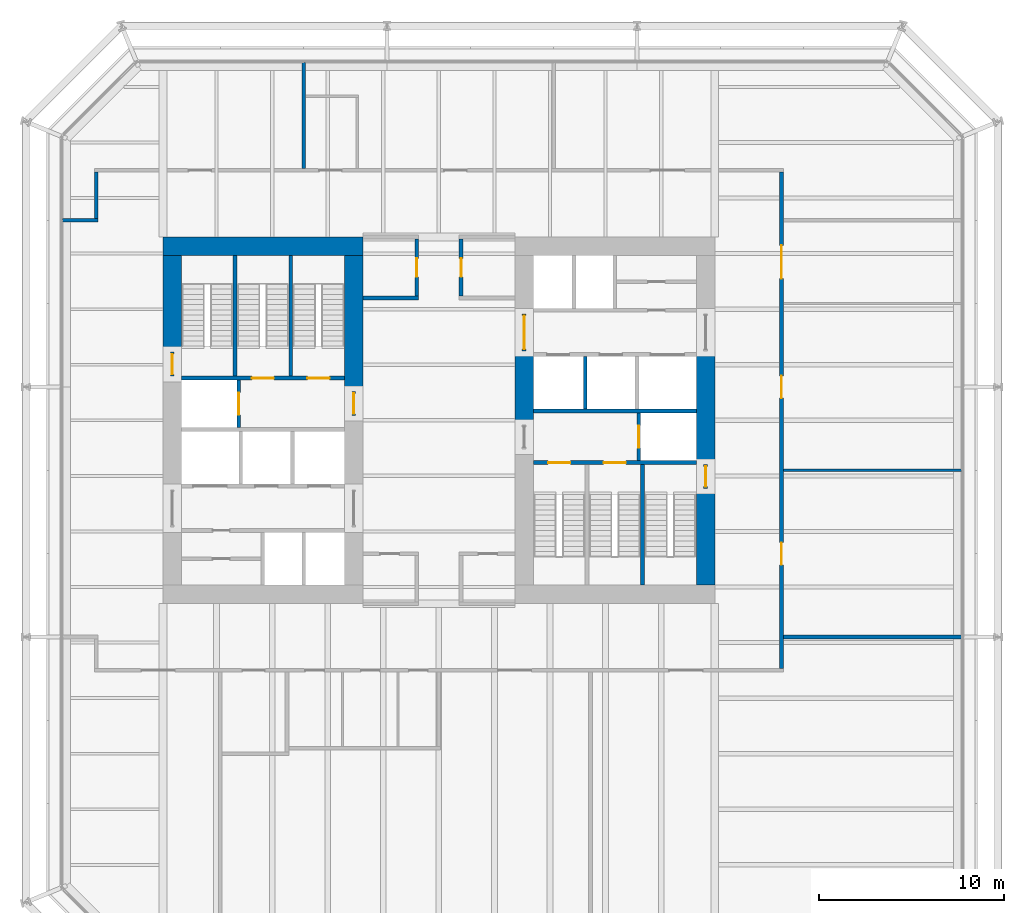
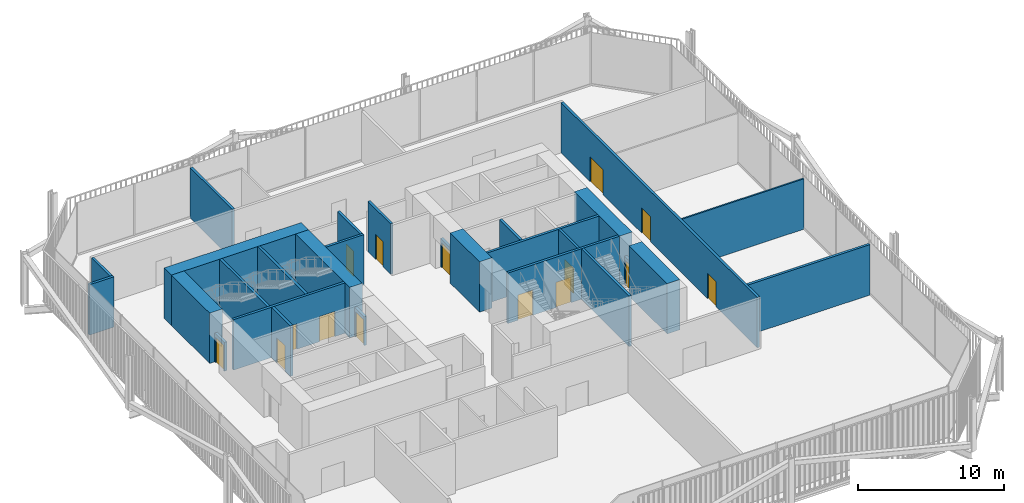
# One storey, part 18 of 21: 28 walls, 15 doors, 15 openings.
"""IFC4 building model written with IfcOpenShell, lengths in metres."""

from ifc_helpers import new_model, si_unit, direction, frame, frame_2d, origin, place, context, subcontext, project, spatial, rectangle, extrude, material, layer, layer_set, type_object, element, fill, save


model = new_model("IFC4")

# Units and contexts
model_context = context("Model", 3, precision=1e-05, world=origin(), true_north=direction((0.0, 1.0)))
body_context = subcontext(model_context, "Body", "Model", "MODEL_VIEW")
ifc_project = project(units=[si_unit("LENGTHUNIT", "METRE"), si_unit("AREAUNIT", "SQUARE_METRE"), si_unit("VOLUMEUNIT", "CUBIC_METRE"), si_unit("PLANEANGLEUNIT", "RADIAN"), si_unit("MASSUNIT", "GRAM", prefix="KILO")], contexts=[model_context])

# Site, building, storey
site_placement = place(None, origin())
site = spatial("IfcSite", under=ifc_project, at=site_placement, CompositionType="ELEMENT")
building_placement = place(site_placement, origin())
building = spatial("IfcBuilding", under=site, at=building_placement, Name="Millrace Tower", CompositionType="ELEMENT")
storey_placement = place(building_placement, frame((0.0, 0.0, 90.800048828125)))
storey = spatial("IfcBuildingStorey", under=building, at=storey_placement, Name="L20", CompositionType="ELEMENT", Elevation=90.800048828125)

# Walls
ifc_material_1 = material(Name="Concrete C80", Category="concrete")
ifc_layer_1 = layer(ifc_material_1, 1.0)
ifc_layer_set_1 = layer_set([ifc_layer_1], Name="Concrete C80")
wall_type_1 = type_object("IfcWallType", Name="Core wall 1000 Concrete C80", PredefinedType="SHEAR", material=ifc_layer_set_1)
wall_1_placement = place(storey_placement, frame((-14.89990234375, 9.39990234375, 0.0), z_axis=(0.0, 0.0, 1.0), x_axis=(1.0, 0.0, 0.0)))
element("IfcWall", 1, at=wall_1_placement, inside=storey, type_object=wall_type_1, Name="Core wall W L20", PredefinedType="SHEAR", context=body_context, shape_type="SweptSolid", body=[
    extrude(rectangle(XDim=10.7998046875, YDim=1.0, at=frame_2d((5.39990234375, 0.0))), origin(), (0.0, 0.0, 1.0), 4.199951171875),
])
wall_2_placement = place(storey_placement, frame((-14.39990234375, 3.679931640625, 0.0), z_axis=(0.0, 0.0, 1.0), x_axis=(0.0, 1.0, 0.0)))
element("IfcWall", 2, at=wall_2_placement, inside=storey, type_object=wall_type_1, Name="Core wall W L20", PredefinedType="SHEAR", context=body_context, shape_type="SweptSolid", body=[
    extrude(rectangle(XDim=5.219970703125, YDim=1.0, at=frame_2d((2.60986328125, 0.0))), origin(), (0.0, 0.0, 1.0), 4.199951171875),
])
wall_3_placement = place(storey_placement, frame((-4.60009765625, 1.550048828125, 0.0), z_axis=(0.0, 0.0, 1.0), x_axis=(0.0, 1.0, 0.0)))
element("IfcWall", 3, at=wall_3_placement, inside=storey, type_object=wall_type_1, Name="Core wall W L20", PredefinedType="SHEAR", context=body_context, shape_type="SweptSolid", body=[
    extrude(rectangle(XDim=7.349853515625, YDim=1.0, at=frame_2d((3.6748046875, 0.0))), origin(), (0.0, 0.0, 1.0), 4.199951171875),
])
wall_4_placement = place(storey_placement, frame((14.39990234375, 3.75, 0.0), z_axis=(0.0, 0.0, 1.0), x_axis=(0.0, -1.0, 0.0)))
element("IfcWall", 4, at=wall_4_placement, inside=storey, type_object=wall_type_1, Name="Core wall E L20", PredefinedType="SHEAR", context=body_context, shape_type="SweptSolid", body=[
    extrude(rectangle(XDim=6.1298828125, YDim=1.0, at=frame_2d((3.06494140625, 0.0))), origin(), (0.0, 0.0, 1.0), 4.199951171875),
])
wall_5_placement = place(storey_placement, frame((14.39990234375, -3.679931640625, 0.0), z_axis=(0.0, 0.0, 1.0), x_axis=(0.0, -1.0, 0.0)))
element("IfcWall", 5, at=wall_5_placement, inside=storey, type_object=wall_type_1, Name="Core wall E L20", PredefinedType="SHEAR", context=body_context, shape_type="SweptSolid", body=[
    extrude(rectangle(XDim=5.219970703125, YDim=1.0, at=frame_2d((2.60986328125, 0.0))), origin(), (0.0, 0.0, 1.0), 4.199951171875),
])
wall_6_placement = place(storey_placement, frame((4.60009765625, 3.75, 0.0), z_axis=(0.0, 0.0, 1.0), x_axis=(0.0, -1.0, 0.0)))
element("IfcWall", 6, at=wall_6_placement, inside=storey, type_object=wall_type_1, Name="Core wall E L20", PredefinedType="SHEAR", context=body_context, shape_type="SweptSolid", body=[
    extrude(rectangle(XDim=4.0, YDim=1.0, at=frame_2d((2.0, 0.0))), origin(), (0.0, 0.0, 1.0), 4.199951171875),
])
ifc_material_2 = material(Name="Masonry partition, fire-rated", Category="masonry")
ifc_layer_2 = layer(ifc_material_2, 0.199951171875)
ifc_layer_set_2 = layer_set([ifc_layer_2], Name="Masonry partition, fire-rated")
wall_type_2 = type_object("IfcWallType", Name="Corridor wall 200", PredefinedType="PARTITIONING", material=ifc_layer_set_2)
wall_7_placement = place(storey_placement, frame((18.60009765625, -11.699951171875, 0.0), z_axis=(0.0, 0.0, 1.0), x_axis=(1.0, 0.0, 0.0)))
element("IfcWall", 7, at=wall_7_placement, inside=storey, type_object=wall_type_2, Name="Corridor wall L20", PredefinedType="PARTITIONING", context=body_context, shape_type="SweptSolid", body=[
    extrude(rectangle(XDim=9.6298828125, YDim=0.199951171875, at=frame_2d((4.81494140625, 0.0))), origin(), (0.0, 0.0, 1.0), 4.199951171875),
])
wall_8_placement = place(storey_placement, frame((-4.10009765625, 6.60009765625, 0.0), z_axis=(0.0, 0.0, 1.0), x_axis=(1.0, 0.0, 0.0)))
element("IfcWall", 8, at=wall_8_placement, inside=storey, type_object=wall_type_2, Name="Corridor wall L20", PredefinedType="PARTITIONING", context=body_context, shape_type="SweptSolid", body=[
    extrude(rectangle(XDim=3.0, YDim=0.199951171875, at=frame_2d((1.5, 0.0))), origin(), (0.0, 0.0, 1.0), 4.199951171875),
])
wall_9_placement = place(storey_placement, frame((-20.330078125, 10.800048828125, 0.0), z_axis=(0.0, 0.0, 1.0), x_axis=(1.0, 0.0, 0.0)))
element("IfcWall", 9, at=wall_9_placement, inside=storey, type_object=wall_type_2, Name="Corridor wall L20", PredefinedType="PARTITIONING", context=body_context, shape_type="SweptSolid", body=[
    extrude(rectangle(XDim=1.93017578125, YDim=0.199951171875, at=frame_2d((0.965087890625, 0.0))), origin(), (0.0, 0.0, 1.0), 4.199951171875),
])

# Wall, openings, doors
wall_10_placement = place(storey_placement, frame((18.5, -13.39990234375, 0.0), z_axis=(0.0, 0.0, 1.0), x_axis=(0.0, 1.0, 0.0)))
wall_10 = element("IfcWall", 10, at=wall_10_placement, inside=storey, type_object=wall_type_2, Name="Corridor wall L20", PredefinedType="PARTITIONING", context=body_context, shape_type="SweptSolid", body=[
    extrude(rectangle(XDim=26.7998046875, YDim=0.199951171875, at=frame_2d((13.39990234375, 0.0))), origin(), (0.0, 0.0, 1.0), 4.199951171875),
])
opening_1_placement = place(wall_10_placement, frame((5.60009765625, 0.0, 0.0)))
opening_1 = element("IfcOpeningElement", 11, at=opening_1_placement, cuts=wall_10, Name="Opening 20-P013", PredefinedType="OPENING", context=body_context, shape_type="SweptSolid", body=[
    extrude(rectangle(XDim=1.199951171875, YDim=2.10009765625, at=frame_2d((0.60009765625, 1.050048828125))), frame((0.0, 0.10986328125, 0.0), z_axis=(0.0, -1.0, 0.0), x_axis=(1.0, 0.0, 0.0)), (0.0, 0.0, 1.0), 0.219970703125),
])
opening_2_placement = place(wall_10_placement, frame((14.60009765625, 0.0, 0.0)))
opening_2 = element("IfcOpeningElement", 12, at=opening_2_placement, cuts=wall_10, Name="Opening 20-P014", PredefinedType="OPENING", context=body_context, shape_type="SweptSolid", body=[
    extrude(rectangle(XDim=1.199951171875, YDim=2.10009765625, at=frame_2d((0.60009765625, 1.050048828125))), frame((0.0, 0.10986328125, 0.0), z_axis=(0.0, -1.0, 0.0), x_axis=(1.0, 0.0, 0.0)), (0.0, 0.0, 1.0), 0.219970703125),
])
opening_3_placement = place(wall_10_placement, frame((21.050048828125, 0.0, 0.0)))
opening_3 = element("IfcOpeningElement", 13, at=opening_3_placement, cuts=wall_10, Name="Opening 20-P015", PredefinedType="OPENING", context=body_context, shape_type="SweptSolid", body=[
    extrude(rectangle(XDim=1.800048828125, YDim=2.10009765625, at=frame_2d((0.89990234375, 1.050048828125))), frame((0.0, 0.10986328125, 0.0), z_axis=(0.0, -1.0, 0.0), x_axis=(1.0, 0.0, 0.0)), (0.0, 0.0, 1.0), 0.219970703125),
])
ifc_material_3 = material(Name="Steel door set, fire-rated", Category="steel")
door_type_1 = type_object("IfcDoorType", Name="Corridor door 1200 x 2100", OperationType="SINGLE_SWING_LEFT", PredefinedType="DOOR", material=ifc_material_3)
door_1_placement = place(opening_1_placement, frame((1.199951171875, 0.0, 0.0), z_axis=(0.0, 0.0, 1.0), x_axis=(-1.0, 0.0, 0.0)))
door_1 = element("IfcDoor", 14, at=door_1_placement, inside=storey, type_object=door_type_1, Name="Door 20-P013", OperationType="SINGLE_SWING_RIGHT", OverallHeight=2.10009765625, OverallWidth=1.199951171875, PredefinedType="DOOR", context=body_context, shape_type="SweptSolid", body=[
    extrude(rectangle(XDim=1.199951171875, YDim=2.10009765625, at=frame_2d((0.60009765625, 1.050048828125))), frame((0.0, 0.02490234375, 0.0), z_axis=(0.0, -1.0, 0.0), x_axis=(1.0, 0.0, 0.0)), (0.0, 0.0, 1.0), 0.050048828125),
])
fill(opening_1, door_1)
door_2_placement = place(opening_2_placement, frame((1.199951171875, 0.0, 0.0), z_axis=(0.0, 0.0, 1.0), x_axis=(-1.0, 0.0, 0.0)))
door_2 = element("IfcDoor", 15, at=door_2_placement, inside=storey, type_object=door_type_1, Name="Door 20-P014", OperationType="SINGLE_SWING_LEFT", OverallHeight=2.10009765625, OverallWidth=1.199951171875, PredefinedType="DOOR", context=body_context, shape_type="SweptSolid", body=[
    extrude(rectangle(XDim=1.199951171875, YDim=2.10009765625, at=frame_2d((0.60009765625, 1.050048828125))), frame((0.0, 0.02490234375, 0.0), z_axis=(0.0, -1.0, 0.0), x_axis=(1.0, 0.0, 0.0)), (0.0, 0.0, 1.0), 0.050048828125),
])
fill(opening_2, door_2)
ifc_material_4 = material(Name="Steel door set, fire-rated", Category="steel")
door_type_2 = type_object("IfcDoorType", Name="Corridor door 1800 x 2100", OperationType="DOUBLE_DOOR_SINGLE_SWING", PredefinedType="DOOR", material=ifc_material_4)
door_3_placement = place(opening_3_placement, frame((1.800048828125, 0.0, 0.0), z_axis=(0.0, 0.0, 1.0), x_axis=(-1.0, 0.0, 0.0)))
door_3 = element("IfcDoor", 16, at=door_3_placement, inside=storey, type_object=door_type_2, Name="Door 20-P015", OperationType="DOUBLE_DOOR_SINGLE_SWING", OverallHeight=2.10009765625, OverallWidth=1.800048828125, PredefinedType="DOOR", context=body_context, shape_type="SweptSolid", body=[
    extrude(rectangle(XDim=1.800048828125, YDim=2.10009765625, at=frame_2d((0.89990234375, 1.050048828125))), frame((0.0, 0.02490234375, 0.0), z_axis=(0.0, -1.0, 0.0), x_axis=(1.0, 0.0, 0.0)), (0.0, 0.0, 1.0), 0.050048828125),
])
fill(opening_3, door_3)

# Wall, opening, door
wall_11_placement = place(storey_placement, frame((1.199951171875, 6.699951171875, 0.0), z_axis=(0.0, 0.0, 1.0), x_axis=(0.0, 1.0, 0.0)))
wall_11 = element("IfcWall", 17, at=wall_11_placement, inside=storey, type_object=wall_type_2, Name="Corridor wall L20", PredefinedType="PARTITIONING", context=body_context, shape_type="SweptSolid", body=[
    extrude(rectangle(XDim=3.10009765625, YDim=0.199951171875, at=frame_2d((1.550048828125, 0.0))), origin(), (0.0, 0.0, 1.0), 4.199951171875),
])
opening_4_placement = place(wall_11_placement, frame((1.050048828125, 0.0, 0.0)))
opening_4 = element("IfcOpeningElement", 18, at=opening_4_placement, cuts=wall_11, Name="Opening 20-P002", PredefinedType="OPENING", context=body_context, shape_type="SweptSolid", body=[
    extrude(rectangle(XDim=1.0, YDim=2.10009765625, at=frame_2d((0.5, 1.050048828125))), frame((0.0, 0.10986328125, 0.0), z_axis=(0.0, -1.0, 0.0), x_axis=(1.0, 0.0, 0.0)), (0.0, 0.0, 1.0), 0.219970703125),
])
ifc_material_5 = material(Name="Steel door set, fire-rated", Category="steel")
door_type_3 = type_object("IfcDoorType", Name="Corridor door 1000 x 2100", OperationType="SINGLE_SWING_LEFT", PredefinedType="DOOR", material=ifc_material_5)
door_4_placement = place(opening_4_placement, frame((1.0, 0.0, 0.0), z_axis=(0.0, 0.0, 1.0), x_axis=(-1.0, 0.0, 0.0)))
door_4 = element("IfcDoor", 19, at=door_4_placement, inside=storey, type_object=door_type_3, Name="Door 20-P002", OperationType="SINGLE_SWING_LEFT", OverallHeight=2.10009765625, OverallWidth=1.0, PredefinedType="DOOR", context=body_context, shape_type="SweptSolid", body=[
    extrude(rectangle(XDim=1.0, YDim=2.10009765625, at=frame_2d((0.5, 1.050048828125))), frame((0.0, 0.02490234375, 0.0), z_axis=(0.0, -1.0, 0.0), x_axis=(1.0, 0.0, 0.0)), (0.0, 0.0, 1.0), 0.050048828125),
])
fill(opening_4, door_4)

wall_12_placement = place(storey_placement, frame((-1.199951171875, 6.699951171875, 0.0), z_axis=(0.0, 0.0, 1.0), x_axis=(0.0, 1.0, 0.0)))
wall_12 = element("IfcWall", 20, at=wall_12_placement, inside=storey, type_object=wall_type_2, Name="Corridor wall L20", PredefinedType="PARTITIONING", context=body_context, shape_type="SweptSolid", body=[
    extrude(rectangle(XDim=3.10009765625, YDim=0.199951171875, at=frame_2d((1.550048828125, 0.0))), origin(), (0.0, 0.0, 1.0), 4.199951171875),
])
opening_5_placement = place(wall_12_placement, frame((1.050048828125, 0.0, 0.0)))
opening_5 = element("IfcOpeningElement", 21, at=opening_5_placement, cuts=wall_12, Name="Opening 20-P001", PredefinedType="OPENING", context=body_context, shape_type="SweptSolid", body=[
    extrude(rectangle(XDim=1.0, YDim=2.10009765625, at=frame_2d((0.5, 1.050048828125))), frame((0.0, 0.10986328125, 0.0), z_axis=(0.0, -1.0, 0.0), x_axis=(1.0, 0.0, 0.0)), (0.0, 0.0, 1.0), 0.219970703125),
])
door_5_placement = place(opening_5_placement, origin())
door_5 = element("IfcDoor", 22, at=door_5_placement, inside=storey, type_object=door_type_3, Name="Door 20-P001", OperationType="SINGLE_SWING_RIGHT", OverallHeight=2.10009765625, OverallWidth=1.0, PredefinedType="DOOR", context=body_context, shape_type="SweptSolid", body=[
    extrude(rectangle(XDim=1.0, YDim=2.10009765625, at=frame_2d((0.5, 1.050048828125))), frame((0.0, 0.02490234375, 0.0), z_axis=(0.0, -1.0, 0.0), x_axis=(1.0, 0.0, 0.0)), (0.0, 0.0, 1.0), 0.050048828125),
])
fill(opening_5, door_5)

# Walls
wall_13_placement = place(storey_placement, frame((-7.300048828125, 13.60009765625, 0.0), z_axis=(0.0, 0.0, 1.0), x_axis=(0.0, 1.0, 0.0)))
element("IfcWall", 23, at=wall_13_placement, inside=storey, type_object=wall_type_2, Name="Corridor wall L20", PredefinedType="PARTITIONING", context=body_context, shape_type="SweptSolid", body=[
    extrude(rectangle(XDim=5.72998046875, YDim=0.199951171875, at=frame_2d((2.864990234375, 0.0))), origin(), (0.0, 0.0, 1.0), 4.199951171875),
])
wall_14_placement = place(storey_placement, frame((-18.5, 10.89990234375, 0.0), z_axis=(0.0, 0.0, 1.0), x_axis=(0.0, 1.0, 0.0)))
element("IfcWall", 24, at=wall_14_placement, inside=storey, type_object=wall_type_2, Name="Corridor wall L20", PredefinedType="PARTITIONING", context=body_context, shape_type="SweptSolid", body=[
    extrude(rectangle(XDim=2.5, YDim=0.199951171875, at=frame_2d((1.25, 0.0))), origin(), (0.0, 0.0, 1.0), 4.199951171875),
])

# Wall, opening, door
ifc_material_6 = material(Name="Masonry partition, fire-rated", Category="masonry")
ifc_layer_3 = layer(ifc_material_6, 0.199951171875)
ifc_layer_set_3 = layer_set([ifc_layer_3], Name="Masonry partition, fire-rated")
wall_type_3 = type_object("IfcWallType", Name="Lift shaft wall 200", PredefinedType="PARTITIONING", material=ifc_layer_set_3)
wall_15_placement = place(storey_placement, frame((-10.800048828125, -0.39990234375, 0.0), z_axis=(0.0, 0.0, 1.0), x_axis=(0.0, 1.0, 0.0)))
wall_15 = element("IfcWall", 25, at=wall_15_placement, inside=storey, type_object=wall_type_3, Name="Lift shaft wall W L20", PredefinedType="PARTITIONING", context=body_context, shape_type="SweptSolid", body=[
    extrude(rectangle(XDim=2.579833984375, YDim=0.199951171875, at=frame_2d((1.2900390625, 0.0))), origin(), (0.0, 0.0, 1.0), 4.199951171875),
])
opening_6_placement = place(wall_15_placement, frame((0.68994140625, 0.0, 0.0)))
opening_6 = element("IfcOpeningElement", 26, at=opening_6_placement, cuts=wall_15, Name="Opening 20-LD08", PredefinedType="OPENING", context=body_context, shape_type="SweptSolid", body=[
    extrude(rectangle(XDim=1.199951171875, YDim=2.10009765625, at=frame_2d((0.60009765625, 1.050048828125))), frame((0.0, 0.10986328125, 0.0), z_axis=(0.0, -1.0, 0.0), x_axis=(1.0, 0.0, 0.0)), (0.0, 0.0, 1.0), 0.219970703125),
])
ifc_material_7 = material(Name="Stainless steel, fire-rated", Category="steel")
door_type_4 = type_object("IfcDoorType", Name="Lift landing door 1200 x 2100", OperationType="DOUBLE_DOOR_SLIDING", PredefinedType="DOOR", material=ifc_material_7)
door_6_placement = place(opening_6_placement, origin())
door_6 = element("IfcDoor", 27, at=door_6_placement, inside=storey, type_object=door_type_4, Name="Lift landing door LF8 L20", OperationType="DOUBLE_DOOR_SLIDING", OverallHeight=2.10009765625, OverallWidth=1.199951171875, PredefinedType="DOOR", context=body_context, shape_type="SweptSolid", body=[
    extrude(rectangle(XDim=1.199951171875, YDim=2.10009765625, at=frame_2d((0.60009765625, 1.050048828125))), frame((0.0, 0.02490234375, 0.0), z_axis=(0.0, -1.0, 0.0), x_axis=(1.0, 0.0, 0.0)), (0.0, 0.0, 1.0), 0.050048828125),
])
fill(opening_6, door_6)

# Wall
wall_16_placement = place(storey_placement, frame((13.89990234375, 0.5, 0.0), z_axis=(0.0, 0.0, 1.0), x_axis=(-1.0, 0.0, 0.0)))
element("IfcWall", 28, at=wall_16_placement, inside=storey, type_object=wall_type_3, Name="Lift shaft wall E L20", PredefinedType="PARTITIONING", context=body_context, shape_type="SweptSolid", body=[
    extrude(rectangle(XDim=8.7998046875, YDim=0.199951171875, at=frame_2d((4.39990234375, 0.0))), origin(), (0.0, 0.0, 1.0), 4.199951171875),
])

# Wall, opening, door
wall_17_placement = place(storey_placement, frame((10.800048828125, 0.39990234375, 0.0), z_axis=(0.0, 0.0, 1.0), x_axis=(0.0, -1.0, 0.0)))
wall_17 = element("IfcWall", 29, at=wall_17_placement, inside=storey, type_object=wall_type_3, Name="Lift shaft wall E L20", PredefinedType="PARTITIONING", context=body_context, shape_type="SweptSolid", body=[
    extrude(rectangle(XDim=2.579833984375, YDim=0.199951171875, at=frame_2d((1.2900390625, 0.0))), origin(), (0.0, 0.0, 1.0), 4.199951171875),
])
opening_7_placement = place(wall_17_placement, frame((0.68994140625, 0.0, 0.0)))
opening_7 = element("IfcOpeningElement", 30, at=opening_7_placement, cuts=wall_17, Name="Opening 20-LD16", PredefinedType="OPENING", context=body_context, shape_type="SweptSolid", body=[
    extrude(rectangle(XDim=1.199951171875, YDim=2.10009765625, at=frame_2d((0.60009765625, 1.050048828125))), frame((0.0, 0.10986328125, 0.0), z_axis=(0.0, -1.0, 0.0), x_axis=(1.0, 0.0, 0.0)), (0.0, 0.0, 1.0), 0.219970703125),
])
door_7_placement = place(opening_7_placement, origin())
door_7 = element("IfcDoor", 31, at=door_7_placement, inside=storey, type_object=door_type_4, Name="Lift landing door LF16 L20", OperationType="DOUBLE_DOOR_SLIDING", OverallHeight=2.10009765625, OverallWidth=1.199951171875, PredefinedType="DOOR", context=body_context, shape_type="SweptSolid", body=[
    extrude(rectangle(XDim=1.199951171875, YDim=2.10009765625, at=frame_2d((0.60009765625, 1.050048828125))), frame((0.0, 0.02490234375, 0.0), z_axis=(0.0, -1.0, 0.0), x_axis=(1.0, 0.0, 0.0)), (0.0, 0.0, 1.0), 0.050048828125),
])
fill(opening_7, door_7)

# Wall
wall_18_placement = place(storey_placement, frame((7.89990234375, 3.449951171875, 0.0), z_axis=(0.0, 0.0, 1.0), x_axis=(0.0, -1.0, 0.0)))
element("IfcWall", 32, at=wall_18_placement, inside=storey, type_object=wall_type_3, Name="Lift shaft wall E L20", PredefinedType="PARTITIONING", context=body_context, shape_type="SweptSolid", body=[
    extrude(rectangle(XDim=2.849853515625, YDim=0.199951171875, at=frame_2d((1.4248046875, 0.0))), origin(), (0.0, 0.0, 1.0), 4.199951171875),
])

# Wall, opening, door
ifc_material_8 = material(Name="Masonry partition, fire-rated", Category="masonry")
ifc_layer_4 = layer(ifc_material_8, 0.199951171875)
ifc_layer_set_4 = layer_set([ifc_layer_4], Name="Masonry partition, fire-rated")
wall_type_4 = type_object("IfcWallType", Name="Lobby wall 200", PredefinedType="PARTITIONING", material=ifc_layer_set_4)
wall_19_placement = place(storey_placement, frame((-4.60009765625, 0.25, 0.0), z_axis=(0.0, 0.0, 1.0), x_axis=(0.0, 1.0, 0.0)))
wall_19 = element("IfcWall", 33, at=wall_19_placement, inside=storey, type_object=wall_type_4, Name="Lobby wall W L20", PredefinedType="PARTITIONING", context=body_context, shape_type="SweptSolid", body=[
    extrude(rectangle(XDim=1.300048828125, YDim=0.199951171875, at=frame_2d((0.64990234375, 0.0))), origin(), (0.0, 0.0, 1.0), 2.39990234375),
])
opening_8_placement = place(wall_19_placement, frame((0.10009765625, 0.0, 0.0)))
opening_8 = element("IfcOpeningElement", 34, at=opening_8_placement, cuts=wall_19, Name="Opening 20-C004", PredefinedType="OPENING", context=body_context, shape_type="SweptSolid", body=[
    extrude(rectangle(XDim=1.10009765625, YDim=2.10009765625, at=frame_2d((0.550048828125, 1.050048828125))), frame((0.0, 0.10986328125, 0.0), z_axis=(0.0, -1.0, 0.0), x_axis=(1.0, 0.0, 0.0)), (0.0, 0.0, 1.0), 0.219970703125),
])
ifc_material_9 = material(Name="Steel door, fire-rated", Category="steel")
door_type_5 = type_object("IfcDoorType", Name="Lobby door 1100 x 2100", OperationType="SINGLE_SWING_LEFT", PredefinedType="DOOR", material=ifc_material_9)
door_8_placement = place(opening_8_placement, origin())
door_8 = element("IfcDoor", 35, at=door_8_placement, inside=storey, type_object=door_type_5, Name="Lobby door 20-C004", OperationType="SINGLE_SWING_LEFT", OverallHeight=2.10009765625, OverallWidth=1.10009765625, PredefinedType="DOOR", context=body_context, shape_type="SweptSolid", body=[
    extrude(rectangle(XDim=1.10009765625, YDim=2.10009765625, at=frame_2d((0.550048828125, 1.050048828125))), frame((0.0, 0.02490234375, 0.0), z_axis=(0.0, -1.0, 0.0), x_axis=(1.0, 0.0, 0.0)), (0.0, 0.0, 1.0), 0.050048828125),
])
fill(opening_8, door_8)

wall_20_placement = place(storey_placement, frame((4.60009765625, 5.75, 0.0), z_axis=(0.0, 0.0, 1.0), x_axis=(0.0, -1.0, 0.0)))
wall_20 = element("IfcWall", 36, at=wall_20_placement, inside=storey, type_object=wall_type_4, Name="Lobby wall E L20", PredefinedType="PARTITIONING", context=body_context, shape_type="SweptSolid", body=[
    extrude(rectangle(XDim=2.0, YDim=0.199951171875, at=frame_2d((1.0, 0.0))), origin(), (0.0, 0.0, 1.0), 2.39990234375),
])
opening_9_placement = place(wall_20_placement, frame((0.10009765625, 0.0, 0.0)))
opening_9 = element("IfcOpeningElement", 37, at=opening_9_placement, cuts=wall_20, Name="Opening 20-C011", PredefinedType="OPENING", context=body_context, shape_type="SweptSolid", body=[
    extrude(rectangle(XDim=1.800048828125, YDim=2.10009765625, at=frame_2d((0.89990234375, 1.050048828125))), frame((0.0, 0.10986328125, 0.0), z_axis=(0.0, -1.0, 0.0), x_axis=(1.0, 0.0, 0.0)), (0.0, 0.0, 1.0), 0.219970703125),
])
ifc_material_10 = material(Name="Steel door, fire-rated", Category="steel")
door_type_6 = type_object("IfcDoorType", Name="Lobby door 1800 x 2100", OperationType="DOUBLE_DOOR_SINGLE_SWING", PredefinedType="DOOR", material=ifc_material_10)
door_9_placement = place(opening_9_placement, origin())
door_9 = element("IfcDoor", 38, at=door_9_placement, inside=storey, type_object=door_type_6, Name="Lobby door 20-C011", OperationType="DOUBLE_DOOR_SINGLE_SWING", OverallHeight=2.10009765625, OverallWidth=1.800048828125, PredefinedType="DOOR", context=body_context, shape_type="SweptSolid", body=[
    extrude(rectangle(XDim=1.800048828125, YDim=2.10009765625, at=frame_2d((0.89990234375, 1.050048828125))), frame((0.0, 0.02490234375, 0.0), z_axis=(0.0, -1.0, 0.0), x_axis=(1.0, 0.0, 0.0)), (0.0, 0.0, 1.0), 0.050048828125),
])
fill(opening_9, door_9)

# Wall
ifc_material_11 = material(Name="Gypsum board partition")
ifc_layer_5 = layer(ifc_material_11, 0.1201171875)
ifc_layer_set_5 = layer_set([ifc_layer_5], Name="Gypsum board partition")
wall_type_5 = type_object("IfcWallType", Name="Partition wall 120", PredefinedType="PARTITIONING", material=ifc_layer_set_5)
wall_21_placement = place(storey_placement, frame((18.60009765625, -2.699951171875, 0.0), z_axis=(0.0, 0.0, 1.0), x_axis=(1.0, 0.0, 0.0)))
element("IfcWall", 39, at=wall_21_placement, inside=storey, type_object=wall_type_5, Name="Partition wall L20", PredefinedType="PARTITIONING", context=body_context, shape_type="SweptSolid", body=[
    extrude(rectangle(XDim=9.6298828125, YDim=0.1201171875, at=frame_2d((4.81494140625, 0.0))), origin(), (0.0, 0.0, 1.0), 4.199951171875),
])

# Wall, opening, door
ifc_material_12 = material(Name="Concrete C40", Category="concrete")
ifc_layer_6 = layer(ifc_material_12, 0.199951171875)
ifc_layer_set_6 = layer_set([ifc_layer_6], Name="Concrete C40")
wall_type_6 = type_object("IfcWallType", Name="Stair enclosure wall 200 Concrete C40", PredefinedType="SHEAR", material=ifc_layer_set_6)
wall_22_placement = place(storey_placement, frame((-14.39990234375, 2.3798828125, 0.0), z_axis=(0.0, 0.0, 1.0), x_axis=(0.0, 1.0, 0.0)))
wall_22 = element("IfcWall", 40, at=wall_22_placement, inside=storey, type_object=wall_type_6, Name="Stair enclosure wall W L20", PredefinedType="SHEAR", context=body_context, shape_type="SweptSolid", body=[
    extrude(rectangle(XDim=1.300048828125, YDim=0.199951171875, at=frame_2d((0.64990234375, 0.0))), origin(), (0.0, 0.0, 1.0), 2.39990234375),
])
opening_10_placement = place(wall_22_placement, frame((0.10009765625, 0.0, 0.0)))
opening_10 = element("IfcOpeningElement", 41, at=opening_10_placement, cuts=wall_22, Name="Opening 20-C002", PredefinedType="OPENING", context=body_context, shape_type="SweptSolid", body=[
    extrude(rectangle(XDim=1.10009765625, YDim=2.10009765625, at=frame_2d((0.550048828125, 1.050048828125))), frame((0.0, 0.10986328125, 0.0), z_axis=(0.0, -1.0, 0.0), x_axis=(1.0, 0.0, 0.0)), (0.0, 0.0, 1.0), 0.219970703125),
])
ifc_material_13 = material(Name="Steel door, fire-rated", Category="steel")
door_type_7 = type_object("IfcDoorType", Name="Stair door 1100 x 2100", OperationType="SINGLE_SWING_LEFT", PredefinedType="DOOR", material=ifc_material_13)
door_10_placement = place(opening_10_placement, origin())
door_10 = element("IfcDoor", 42, at=door_10_placement, inside=storey, type_object=door_type_7, Name="Stair door 20-C002", OperationType="SINGLE_SWING_RIGHT", OverallHeight=2.10009765625, OverallWidth=1.10009765625, PredefinedType="DOOR", context=body_context, shape_type="SweptSolid", body=[
    extrude(rectangle(XDim=1.10009765625, YDim=2.10009765625, at=frame_2d((0.550048828125, 1.050048828125))), frame((0.0, 0.02490234375, 0.0), z_axis=(0.0, -1.0, 0.0), x_axis=(1.0, 0.0, 0.0)), (0.0, 0.0, 1.0), 0.050048828125),
])
fill(opening_10, door_10)

# Wall, openings, doors
wall_23_placement = place(storey_placement, frame((-13.89990234375, 2.280029296875, 0.0), z_axis=(0.0, 0.0, 1.0), x_axis=(1.0, 0.0, 0.0)))
wall_23 = element("IfcWall", 43, at=wall_23_placement, inside=storey, type_object=wall_type_6, Name="Stair enclosure wall W L20", PredefinedType="SHEAR", context=body_context, shape_type="SweptSolid", body=[
    extrude(rectangle(XDim=8.7998046875, YDim=0.199951171875, at=frame_2d((4.39990234375, 0.0))), origin(), (0.0, 0.0, 1.0), 4.199951171875),
])
opening_11_placement = place(wall_23_placement, frame((3.800048828125, 0.0, 0.0)))
opening_11 = element("IfcOpeningElement", 44, at=opening_11_placement, cuts=wall_23, Name="Opening 20-C007", PredefinedType="OPENING", context=body_context, shape_type="SweptSolid", body=[
    extrude(rectangle(XDim=1.199951171875, YDim=2.10009765625, at=frame_2d((0.60009765625, 1.050048828125))), frame((0.0, 0.10986328125, 0.0), z_axis=(0.0, -1.0, 0.0), x_axis=(1.0, 0.0, 0.0)), (0.0, 0.0, 1.0), 0.219970703125),
])
opening_12_placement = place(wall_23_placement, frame((6.800048828125, 0.0, 0.0)))
opening_12 = element("IfcOpeningElement", 45, at=opening_12_placement, cuts=wall_23, Name="Opening 20-C008", PredefinedType="OPENING", context=body_context, shape_type="SweptSolid", body=[
    extrude(rectangle(XDim=1.199951171875, YDim=2.10009765625, at=frame_2d((0.60009765625, 1.050048828125))), frame((0.0, 0.10986328125, 0.0), z_axis=(0.0, -1.0, 0.0), x_axis=(1.0, 0.0, 0.0)), (0.0, 0.0, 1.0), 0.219970703125),
])
ifc_material_14 = material(Name="Steel door, fire-rated", Category="steel")
door_type_8 = type_object("IfcDoorType", Name="Stair door 1200 x 2100", OperationType="SINGLE_SWING_LEFT", PredefinedType="DOOR", material=ifc_material_14)
door_11_placement = place(opening_11_placement, frame((1.199951171875, 0.0, 0.0), z_axis=(0.0, 0.0, 1.0), x_axis=(-1.0, 0.0, 0.0)))
door_11 = element("IfcDoor", 46, at=door_11_placement, inside=storey, type_object=door_type_8, Name="Stair door 20-C007", OperationType="SINGLE_SWING_LEFT", OverallHeight=2.10009765625, OverallWidth=1.199951171875, PredefinedType="DOOR", context=body_context, shape_type="SweptSolid", body=[
    extrude(rectangle(XDim=1.199951171875, YDim=2.10009765625, at=frame_2d((0.60009765625, 1.050048828125))), frame((0.0, 0.02490234375, 0.0), z_axis=(0.0, -1.0, 0.0), x_axis=(1.0, 0.0, 0.0)), (0.0, 0.0, 1.0), 0.050048828125),
])
fill(opening_11, door_11)
door_12_placement = place(opening_12_placement, frame((1.199951171875, 0.0, 0.0), z_axis=(0.0, 0.0, 1.0), x_axis=(-1.0, 0.0, 0.0)))
door_12 = element("IfcDoor", 47, at=door_12_placement, inside=storey, type_object=door_type_8, Name="Stair door 20-C008", OperationType="SINGLE_SWING_LEFT", OverallHeight=2.10009765625, OverallWidth=1.199951171875, PredefinedType="DOOR", context=body_context, shape_type="SweptSolid", body=[
    extrude(rectangle(XDim=1.199951171875, YDim=2.10009765625, at=frame_2d((0.60009765625, 1.050048828125))), frame((0.0, 0.02490234375, 0.0), z_axis=(0.0, -1.0, 0.0), x_axis=(1.0, 0.0, 0.0)), (0.0, 0.0, 1.0), 0.050048828125),
])
fill(opening_12, door_12)

# Walls
for number, where, z_axis, x_axis, name in (
    (48, (-11.0, 2.3798828125, 0.0), (0.0, 0.0, 1.0), (0.0, 1.0, 0.0), "Stair enclosure wall W L20"),
    (49, (-8.0, 2.3798828125, 0.0), (0.0, 0.0, 1.0), (0.0, 1.0, 0.0), "Stair enclosure wall W L20"),
):
    element("IfcWall", number, at=place(storey_placement, frame(where, z_axis=z_axis, x_axis=x_axis)), inside=storey, type_object=wall_type_6, Name=name, PredefinedType="SHEAR", context=body_context, shape_type="SweptSolid", body=[
        extrude(rectangle(XDim=6.52001953125, YDim=0.199951171875, at=frame_2d((3.260009765625, 0.0))), origin(), (0.0, 0.0, 1.0), 4.199951171875),
    ])

# Wall, opening, door
wall_24_placement = place(storey_placement, frame((14.39990234375, -2.3798828125, 0.0), z_axis=(0.0, 0.0, 1.0), x_axis=(0.0, -1.0, 0.0)))
wall_24 = element("IfcWall", 50, at=wall_24_placement, inside=storey, type_object=wall_type_6, Name="Stair enclosure wall E L20", PredefinedType="SHEAR", context=body_context, shape_type="SweptSolid", body=[
    extrude(rectangle(XDim=1.300048828125, YDim=0.199951171875, at=frame_2d((0.64990234375, 0.0))), origin(), (0.0, 0.0, 1.0), 2.39990234375),
])
opening_13_placement = place(wall_24_placement, frame((0.10009765625, 0.0, 0.0)))
opening_13 = element("IfcOpeningElement", 51, at=opening_13_placement, cuts=wall_24, Name="Opening 20-C010", PredefinedType="OPENING", context=body_context, shape_type="SweptSolid", body=[
    extrude(rectangle(XDim=1.10009765625, YDim=2.10009765625, at=frame_2d((0.550048828125, 1.050048828125))), frame((0.0, 0.10986328125, 0.0), z_axis=(0.0, -1.0, 0.0), x_axis=(1.0, 0.0, 0.0)), (0.0, 0.0, 1.0), 0.219970703125),
])
door_13_placement = place(opening_13_placement, origin())
door_13 = element("IfcDoor", 52, at=door_13_placement, inside=storey, type_object=door_type_7, Name="Stair door 20-C010", OperationType="SINGLE_SWING_RIGHT", OverallHeight=2.10009765625, OverallWidth=1.10009765625, PredefinedType="DOOR", context=body_context, shape_type="SweptSolid", body=[
    extrude(rectangle(XDim=1.10009765625, YDim=2.10009765625, at=frame_2d((0.550048828125, 1.050048828125))), frame((0.0, 0.02490234375, 0.0), z_axis=(0.0, -1.0, 0.0), x_axis=(1.0, 0.0, 0.0)), (0.0, 0.0, 1.0), 0.050048828125),
])
fill(opening_13, door_13)

# Wall, openings, doors
wall_25_placement = place(storey_placement, frame((13.89990234375, -2.280029296875, 0.0), z_axis=(0.0, 0.0, 1.0), x_axis=(-1.0, 0.0, 0.0)))
wall_25 = element("IfcWall", 53, at=wall_25_placement, inside=storey, type_object=wall_type_6, Name="Stair enclosure wall E L20", PredefinedType="SHEAR", context=body_context, shape_type="SweptSolid", body=[
    extrude(rectangle(XDim=8.7998046875, YDim=0.199951171875, at=frame_2d((4.39990234375, 0.0))), origin(), (0.0, 0.0, 1.0), 4.199951171875),
])
opening_14_placement = place(wall_25_placement, frame((3.800048828125, 0.0, 0.0)))
opening_14 = element("IfcOpeningElement", 54, at=opening_14_placement, cuts=wall_25, Name="Opening 20-C015", PredefinedType="OPENING", context=body_context, shape_type="SweptSolid", body=[
    extrude(rectangle(XDim=1.199951171875, YDim=2.10009765625, at=frame_2d((0.60009765625, 1.050048828125))), frame((0.0, 0.10986328125, 0.0), z_axis=(0.0, -1.0, 0.0), x_axis=(1.0, 0.0, 0.0)), (0.0, 0.0, 1.0), 0.219970703125),
])
opening_15_placement = place(wall_25_placement, frame((6.800048828125, 0.0, 0.0)))
opening_15 = element("IfcOpeningElement", 55, at=opening_15_placement, cuts=wall_25, Name="Opening 20-C016", PredefinedType="OPENING", context=body_context, shape_type="SweptSolid", body=[
    extrude(rectangle(XDim=1.199951171875, YDim=2.10009765625, at=frame_2d((0.60009765625, 1.050048828125))), frame((0.0, 0.10986328125, 0.0), z_axis=(0.0, -1.0, 0.0), x_axis=(1.0, 0.0, 0.0)), (0.0, 0.0, 1.0), 0.219970703125),
])
door_14_placement = place(opening_14_placement, frame((1.199951171875, 0.0, 0.0), z_axis=(0.0, 0.0, 1.0), x_axis=(-1.0, 0.0, 0.0)))
door_14 = element("IfcDoor", 56, at=door_14_placement, inside=storey, type_object=door_type_8, Name="Stair door 20-C015", OperationType="SINGLE_SWING_LEFT", OverallHeight=2.10009765625, OverallWidth=1.199951171875, PredefinedType="DOOR", context=body_context, shape_type="SweptSolid", body=[
    extrude(rectangle(XDim=1.199951171875, YDim=2.10009765625, at=frame_2d((0.60009765625, 1.050048828125))), frame((0.0, 0.02490234375, 0.0), z_axis=(0.0, -1.0, 0.0), x_axis=(1.0, 0.0, 0.0)), (0.0, 0.0, 1.0), 0.050048828125),
])
fill(opening_14, door_14)
door_15_placement = place(opening_15_placement, frame((1.199951171875, 0.0, 0.0), z_axis=(0.0, 0.0, 1.0), x_axis=(-1.0, 0.0, 0.0)))
door_15 = element("IfcDoor", 57, at=door_15_placement, inside=storey, type_object=door_type_8, Name="Stair door 20-C016", OperationType="SINGLE_SWING_LEFT", OverallHeight=2.10009765625, OverallWidth=1.199951171875, PredefinedType="DOOR", context=body_context, shape_type="SweptSolid", body=[
    extrude(rectangle(XDim=1.199951171875, YDim=2.10009765625, at=frame_2d((0.60009765625, 1.050048828125))), frame((0.0, 0.02490234375, 0.0), z_axis=(0.0, -1.0, 0.0), x_axis=(1.0, 0.0, 0.0)), (0.0, 0.0, 1.0), 0.050048828125),
])
fill(opening_15, door_15)

# Wall
wall_26_placement = place(storey_placement, frame((11.0, -2.3798828125, 0.0), z_axis=(0.0, 0.0, 1.0), x_axis=(0.0, -1.0, 0.0)))
element("IfcWall", 58, at=wall_26_placement, inside=storey, type_object=wall_type_6, Name="Stair enclosure wall E L20", PredefinedType="SHEAR", context=body_context, shape_type="SweptSolid", body=[
    extrude(rectangle(XDim=6.52001953125, YDim=0.199951171875, at=frame_2d((3.260009765625, 0.0))), origin(), (0.0, 0.0, 1.0), 4.199951171875),
])

save(model, "model.ifc")
